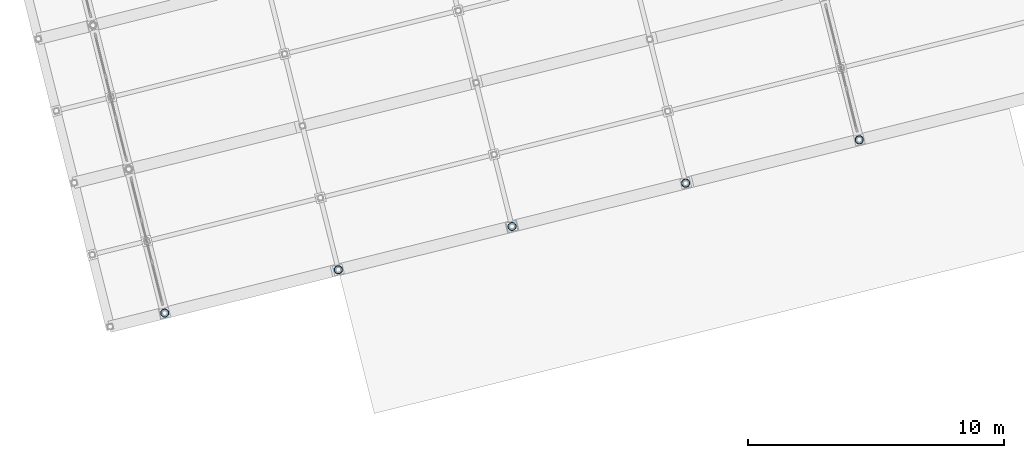
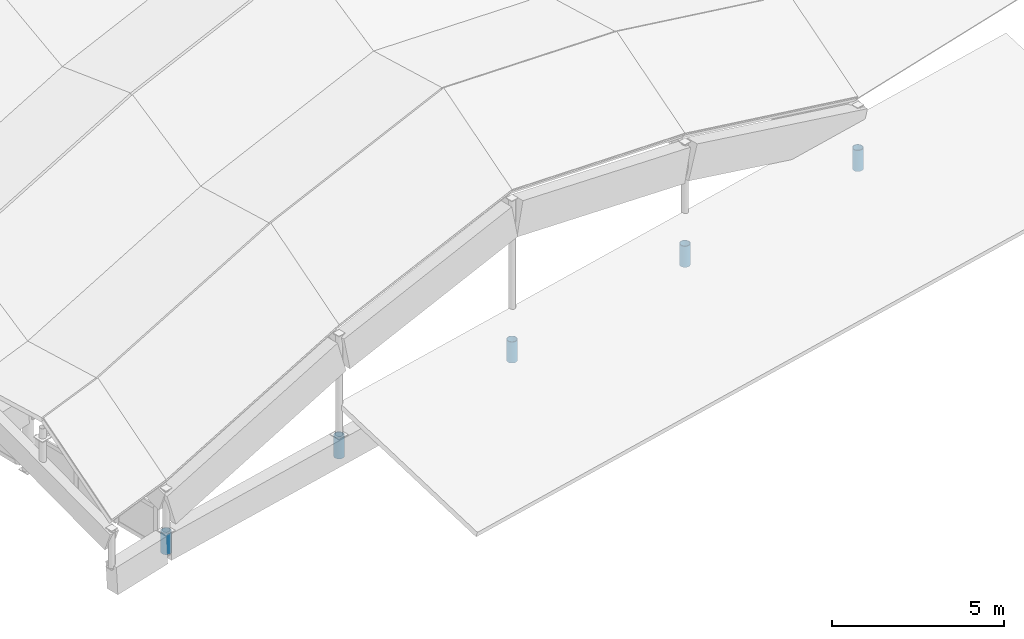
# One storey, part 6 of 65: 5 columns.
"""IFC4 building model written with IfcOpenShell, lengths in metres."""

from ifc_helpers import new_model, si_unit, direction, frame, origin, origin_2d, place, context, subcontext, project, spatial, hollow_circle, extrude, material, material_profile, profile_set, type_object, element, save


model = new_model("IFC4")

# Units and contexts
model_context = context("Model", 3, precision=1e-05, world=origin(), true_north=direction((0.0, 1.0)))
body_context = subcontext(model_context, "Body", "Model", "MODEL_VIEW")
ifc_project = project(units=[si_unit("LENGTHUNIT", "METRE"), si_unit("AREAUNIT", "SQUARE_METRE"), si_unit("VOLUMEUNIT", "CUBIC_METRE"), si_unit("PLANEANGLEUNIT", "RADIAN"), si_unit("MASSUNIT", "GRAM", prefix="KILO")], contexts=[model_context])

# Site, building, storey
site_placement = place(None, origin())
site = spatial("IfcSite", under=ifc_project, at=site_placement, CompositionType="ELEMENT")
building_placement = place(site_placement, origin())
building = spatial("IfcBuilding", under=site, at=building_placement, Name="Cinderway Yard Community Centre", CompositionType="ELEMENT")
storey_placement = place(building_placement, frame((0.0, 0.0, 24.300048828125)))
storey = spatial("IfcBuildingStorey", under=building, at=storey_placement, Name="RF", CompositionType="ELEMENT", Elevation=24.300048828125)

# Columns
ifc_material = material(Name="Steel S355", Category="steel")
ifc_material_profile = material_profile(ifc_material, hollow_circle(Radius=0.161865234375, WallThickness=0.01611328125, at=origin_2d()), Name="Steel S355")
ifc_profile_set = profile_set([ifc_material_profile], Name="Steel S355")
column_type = type_object("IfcColumnType", Name="STR-POST-CHS324", PredefinedType="PILASTER", material=ifc_profile_set)
for number, where, z_axis, x_axis, name in (
    (1, (19.80908203125, 25.116943359375, -11.400146484375), (0.0, 0.0, 1.0), (1.0, 0.0, 0.0), "Main Hall perimeter post W01"),
    (2, (46.97802734375, 31.89111328125, -11.400146484375), (0.0, 0.0, 1.0), (1.0, 0.0, 0.0), "Main Hall perimeter post E01"),
    (3, (26.60205078125, 26.81005859375, -11.400146484375), (0.0, 0.0, 1.0), (1.0, 0.0, 0.0), "Main Hall arch-end post SU07"),
    (4, (33.39404296875, 28.50390625, -11.400146484375), (0.0, 0.0, 1.0), (1.0, 0.0, 0.0), "Main Hall arch-end post SU14"),
    (5, (40.18603515625, 30.197021484375, -11.400146484375), (0.0, 0.0, 1.0), (1.0, 0.0, 0.0), "Main Hall arch-end post SU21"),
):
    element("IfcColumn", number, at=place(storey_placement, frame(where, z_axis=z_axis, x_axis=x_axis)), inside=storey, type_object=column_type, Name=name, PredefinedType="PILASTER", context=body_context, shape_type="SweptSolid", body=[
        extrude(hollow_circle(Radius=0.161865234375, WallThickness=0.01611328125, at=origin_2d()), origin(), (0.0, 0.0, 1.0), 0.75),
    ])

save(model, "model.ifc")
